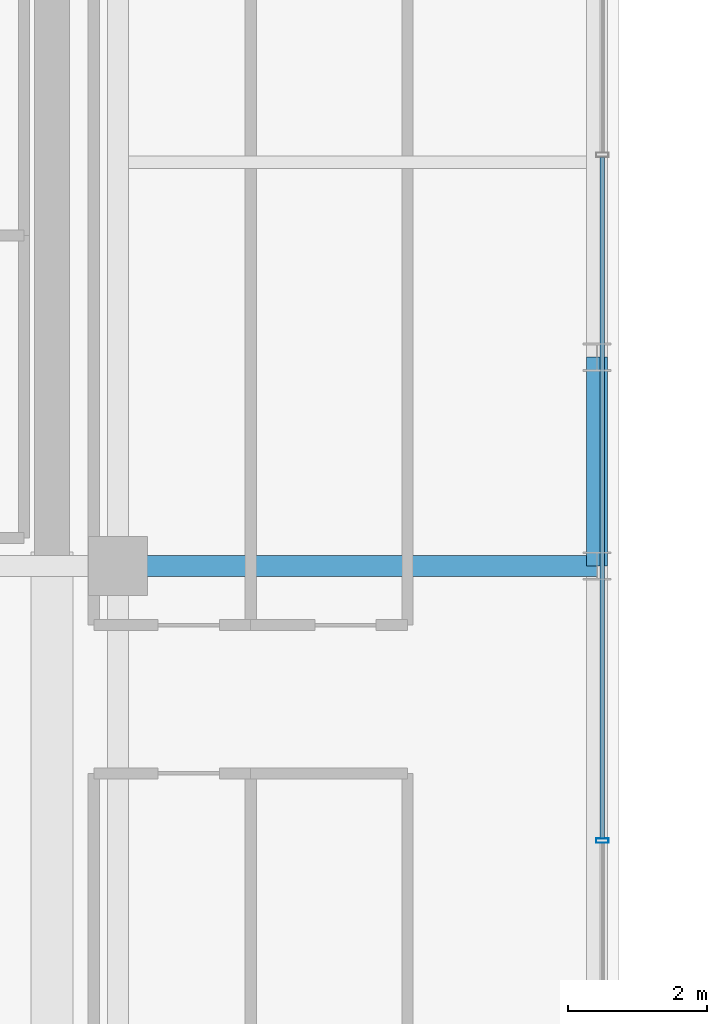
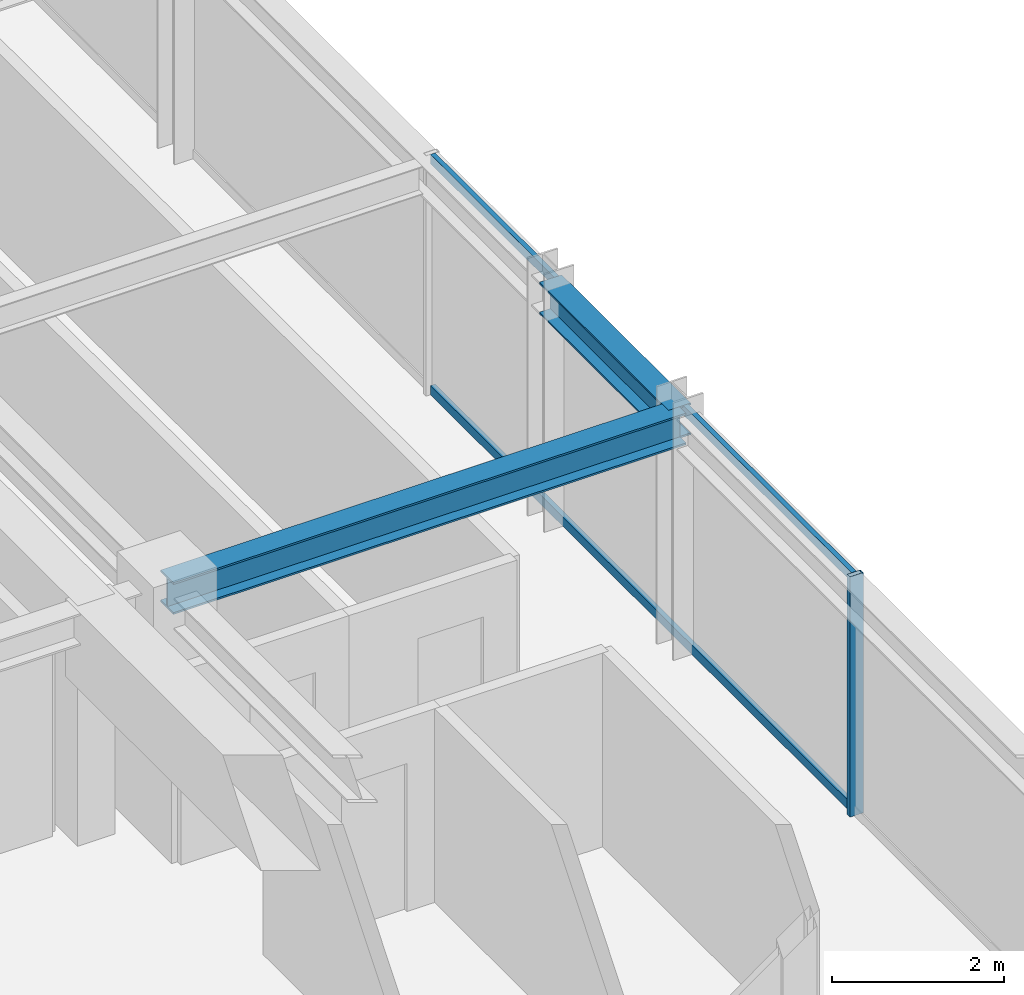
# One storey, part 17 of 36: 3 members, 2 beams, 1 element without a shape of its own.
"""IFC4 building model written with IfcOpenShell, lengths in metres."""

from ifc_helpers import new_model, si_unit, direction, frame, origin, origin_2d, place, context, subcontext, project, spatial, hollow_rectangle, i_section, extrude, source, transform, mapped, material, material_profile, profile_set, type_object, element, aggregate, save


model = new_model("IFC4")

# Units and contexts
model_context = context("Model", 3, precision=1e-05, world=origin(), true_north=direction((0.0, 1.0)))
body_context = subcontext(model_context, "Body", "Model", "MODEL_VIEW")
ifc_project = project(units=[si_unit("LENGTHUNIT", "METRE"), si_unit("AREAUNIT", "SQUARE_METRE"), si_unit("VOLUMEUNIT", "CUBIC_METRE"), si_unit("PLANEANGLEUNIT", "RADIAN"), si_unit("MASSUNIT", "GRAM", prefix="KILO")], contexts=[model_context])

# Site, building, storey
site_placement = place(None, origin())
site = spatial("IfcSite", under=ifc_project, at=site_placement, CompositionType="ELEMENT")
building_placement = place(site_placement, origin())
building = spatial("IfcBuilding", under=site, at=building_placement, Name="Nahalor Promenade Grand Hotel", CompositionType="ELEMENT")
storey_placement = place(building_placement, frame((0.0, 0.0, 219.699951171875)))
storey = spatial("IfcBuildingStorey", under=building, at=storey_placement, Name="L56", CompositionType="ELEMENT", Elevation=219.699951171875)

# Beams
ifc_material_1 = material(Name="Steel S355JR", Category="steel")
ifc_material_profile_1 = material_profile(ifc_material_1, i_section(OverallWidth=0.3, OverallDepth=0.45, WebThickness=0.014, FlangeThickness=0.026, at=origin_2d()), Name="HEB 450")
ifc_profile_set_1 = profile_set([ifc_material_profile_1], Name="Steel S355JR")
beam_type_1 = type_object("IfcBeamType", Name="Beam-Spandrel-HEB450", PredefinedType="SPANDREL", material=ifc_profile_set_1)
shared_shape_1 = source(origin(), body_context, "Body", "SweptSolid", [
    extrude(i_section(OverallWidth=0.3, OverallDepth=0.45, WebThickness=0.014, FlangeThickness=0.026, at=origin_2d()), origin(), (0.0, 0.0, 1.0), 3.0),
])
beam_1_placement = place(storey_placement, frame((23.8798828125, 5.39990234375, 3.18505859375), z_axis=(0.0, 1.0, 0.0), x_axis=(-1.0, 0.0, 0.0)))
element("IfcBeam", 1, at=beam_1_placement, inside=storey, type_object=beam_type_1, Name="BM-L56-SP-E-3", PredefinedType="SPANDREL", context=body_context, shape_type="MappedRepresentation", body=[
    mapped(shared_shape_1, transform((0.0, 0.0, 0.0), scale=1.0)),
])
ifc_material_profile_2 = material_profile(ifc_material_1, i_section(OverallWidth=0.3, OverallDepth=0.45, WebThickness=0.014, FlangeThickness=0.026, at=origin_2d()), Name="HEB 450")
ifc_profile_set_2 = profile_set([ifc_material_profile_2], Name="Steel S355JR")
beam_type_2 = type_object("IfcBeamType", Name="Beam-Girder-HEB450", PredefinedType="BEAM", material=ifc_profile_set_2)
shared_shape_2 = source(origin(), body_context, "Body", "SweptSolid", [
    extrude(i_section(OverallWidth=0.3, OverallDepth=0.45, WebThickness=0.014, FlangeThickness=0.026, at=origin_2d()), origin(), (0.0, 0.0, 1.0), 6.8798828125),
])
beam_2_placement = place(storey_placement, frame((17.0, 5.39990234375, 3.18505859375), z_axis=(1.0, 0.0, 0.0), x_axis=(0.0, 1.0, 0.0)))
element("IfcBeam", 2, at=beam_2_placement, inside=storey, type_object=beam_type_2, Name="BM-L56-GX-2-6", PredefinedType="BEAM", context=body_context, shape_type="MappedRepresentation", body=[
    mapped(shared_shape_2, transform((0.0, 0.0, 0.0), scale=1.0)),
])

# Curtain wall, members
ifc_material_2 = material(Name="Anodised Bronze Aluminium EN AW-6063 T6", Category="aluminium")
curtain_wall_type = type_object("IfcCurtainWallType", Name="CW2 Typical Hotel Flush Bronze Unitised Curtain Wall", PredefinedType="USERDEFINED", material=ifc_material_2)
curtain_wall_placement = place(storey_placement, origin())
curtain_wall = element("IfcCurtainWall", 3, at=curtain_wall_placement, inside=storey, type_object=curtain_wall_type, Name="L56 Curtain Wall CW-L56-E-3", ObjectType="UNITISED_CURTAIN_WALL", PredefinedType="USERDEFINED")
ifc_material_profile_3 = material_profile(ifc_material_2, hollow_rectangle(XDim=0.065, YDim=0.18, WallThickness=0.004, at=origin_2d()), Name="CWM 65x180x4")
ifc_profile_set_3 = profile_set([ifc_material_profile_3], Name="Anodised Bronze Aluminium EN AW-6063 T6")
member_type_1 = type_object("IfcMemberType", Name="CWM2 Typical Bronze Mullion 65x180", PredefinedType="MULLION", material=ifc_profile_set_3)
shared_shape_3 = source(origin(), body_context, "Body", "SweptSolid", [
    extrude(hollow_rectangle(XDim=0.065, YDim=0.18, WallThickness=0.004, at=origin_2d()), origin(), (0.0, 0.0, 1.0), 3.41015625),
])
member_1_placement = place(storey_placement, frame((23.9599609375, 1.453369140625, 0.0), z_axis=(0.0, 0.0, 1.0), x_axis=(0.0, 1.0, 0.0)))
member_1 = element("IfcMember", 4, at=member_1_placement, type_object=member_type_1, Name="CW-L56-E-3 Mullion 1", PredefinedType="MULLION", context=body_context, shape_type="MappedRepresentation", body=[
    mapped(shared_shape_3, transform((0.0, 0.0, 0.0), scale=1.0)),
])
ifc_material_profile_4 = material_profile(ifc_material_2, hollow_rectangle(XDim=0.065, YDim=0.13, WallThickness=0.004, at=origin_2d()), Name="CWT 65x130x4")
ifc_profile_set_4 = profile_set([ifc_material_profile_4], Name="Anodised Bronze Aluminium EN AW-6063 T6")
member_type_2 = type_object("IfcMemberType", Name="CWT2 Typical Bronze Transom 65x130", PredefinedType="USERDEFINED", material=ifc_profile_set_4)
shared_shape_4 = source(origin(), body_context, "Body", "SweptSolid", [
    extrude(hollow_rectangle(XDim=0.065, YDim=0.13, WallThickness=0.004, at=origin_2d()), origin(), (0.0, 0.0, 1.0), 9.788330078125),
])
member_2_placement = place(storey_placement, frame((23.9599609375, 1.48583984375, 0.06494140625), z_axis=(0.0, 1.0, 0.0), x_axis=(-1.0, 0.0, 0.0)))
member_2 = element("IfcMember", 5, at=member_2_placement, type_object=member_type_2, Name="CW-L56-E-3 Transom 1-0", ObjectType="TRANSOM", PredefinedType="USERDEFINED", context=body_context, shape_type="MappedRepresentation", body=[
    mapped(shared_shape_4, transform((0.0, 0.0, 0.0), scale=1.0)),
])
member_3_placement = place(storey_placement, frame((23.9599609375, 1.48583984375, 3.344970703125), z_axis=(0.0, 1.0, 0.0), x_axis=(-1.0, 0.0, 0.0)))
member_3 = element("IfcMember", 6, at=member_3_placement, type_object=member_type_2, Name="CW-L56-E-3 Transom 1-1", ObjectType="TRANSOM", PredefinedType="USERDEFINED", context=body_context, shape_type="MappedRepresentation", body=[
    mapped(shared_shape_4, transform((0.0, 0.0, 0.0), scale=1.0)),
])
aggregate(curtain_wall, [member_1, member_2, member_3])

save(model, "model.ifc")
